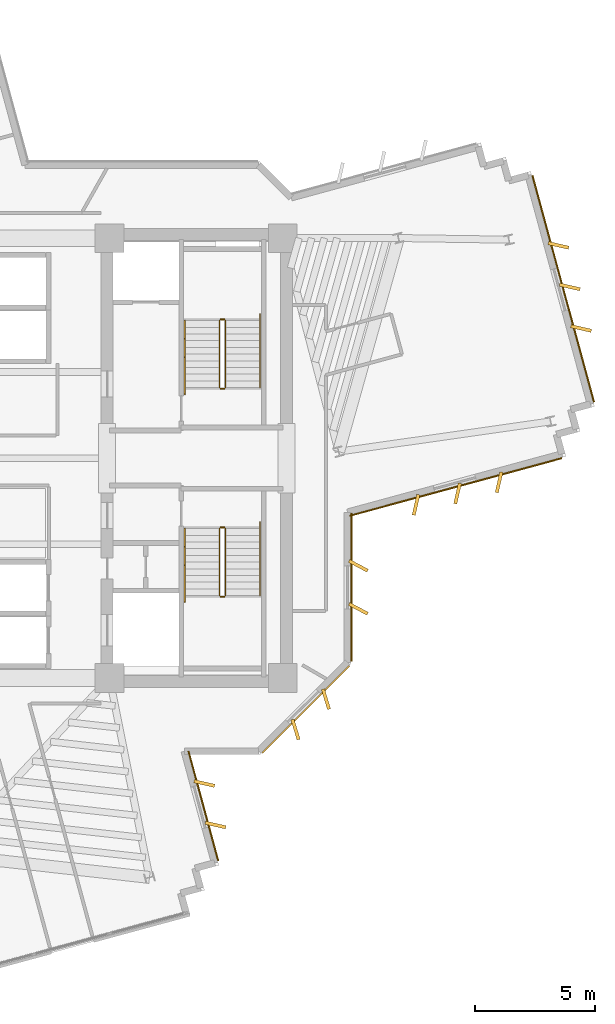
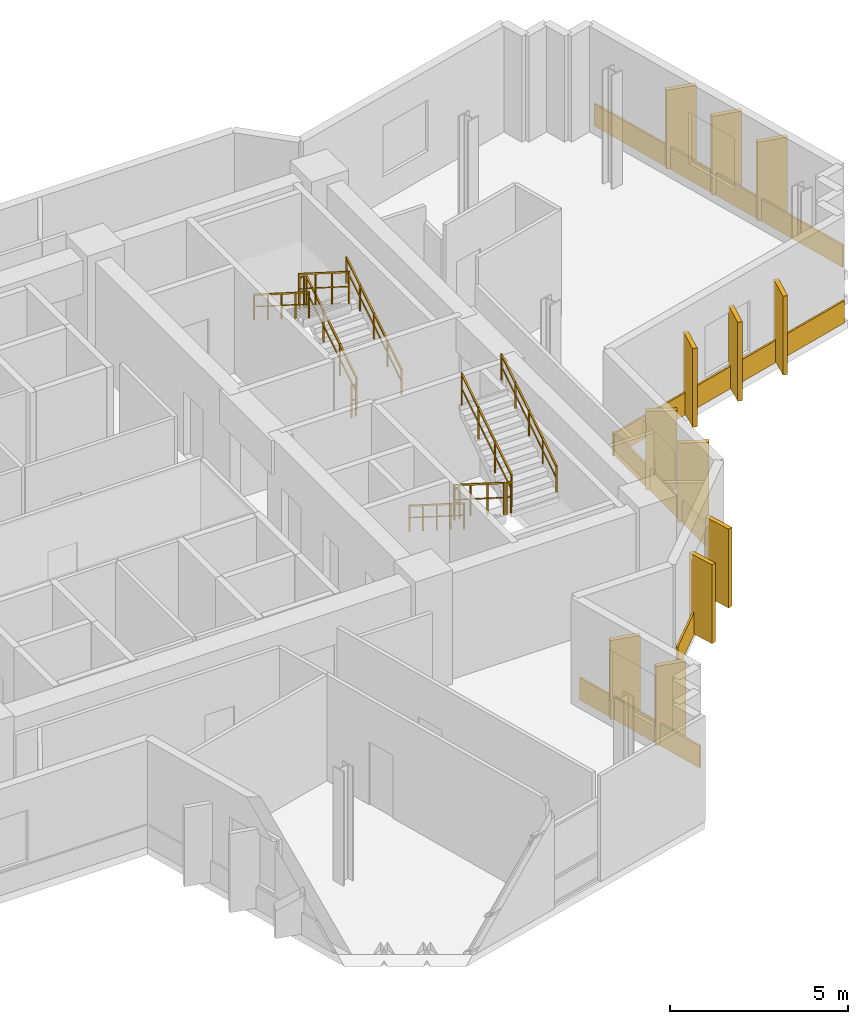
# One storey, part 14 of 15: 17 coverings, 12 railings.
"""IFC4 building model written with IfcOpenShell, lengths in metres."""

from ifc_helpers import new_model, si_unit, direction, frame, origin, origin_2d, place, context, subcontext, project, spatial, rectangle, extrude, source, transform, mapped, material, layer, layer_set, type_object, element, save


model = new_model("IFC4")

# Units and contexts
model_context = context("Model", 3, precision=1e-05, world=origin(), true_north=direction((0.0, 1.0)))
body_context = subcontext(model_context, "Body", "Model", "MODEL_VIEW")
ifc_project = project(units=[si_unit("LENGTHUNIT", "METRE"), si_unit("AREAUNIT", "SQUARE_METRE"), si_unit("VOLUMEUNIT", "CUBIC_METRE"), si_unit("PLANEANGLEUNIT", "RADIAN"), si_unit("MASSUNIT", "GRAM", prefix="KILO")], contexts=[model_context])

# Site, building, storey
site_placement = place(None, origin())
site = spatial("IfcSite", under=ifc_project, at=site_placement, CompositionType="ELEMENT")
building_placement = place(site_placement, origin())
building = spatial("IfcBuilding", under=site, at=building_placement, Name="Zahravan Cultural Tower", CompositionType="ELEMENT")
storey_placement = place(building_placement, frame((0.0, 0.0, 198.0)))
storey = spatial("IfcBuildingStorey", under=building, at=storey_placement, Name="L46", CompositionType="ELEMENT", Elevation=198.0)

# Railings
ifc_material_1 = material(Name="Steel ASTM A572 Grade 50", Category="steel")
railing_type_1 = type_object("IfcRailingType", Name="RL-STAIR-GRD1150", PredefinedType="BALUSTRADE", material=ifc_material_1)
railing_1_placement = place(storey_placement, frame((47.949951171875, 29.949951171875, 0.17724609375)))
element("IfcRailing", 1, at=railing_1_placement, inside=storey, type_object=railing_type_1, Name="L46 ST-E1 stair guard 1", PredefinedType="BALUSTRADE", context=body_context, shape_type="SweptSolid", body=[
    extrude(rectangle(XDim=0.05, YDim=0.05, at=origin_2d()), frame((0.0, 0.0, 1.0751953125), z_axis=(0.0, 0.844908973607, 0.534910110503), x_axis=(-1.0, 0.0, 0.0)), (0.0, 0.0, 1.0), 3.31396484375),
    extrude(rectangle(XDim=0.032, YDim=0.032, at=origin_2d()), frame((0.0, 0.0, 0.572021484375), z_axis=(0.0, 0.844908973607, 0.534910110503), x_axis=(-1.0, 0.0, 0.0)), (0.0, 0.0, 1.0), 3.31396484375),
    extrude(rectangle(XDim=0.04, YDim=0.04, at=origin_2d()), origin(), (0.0, 0.0, 1.0), 1.10009765625),
    extrude(rectangle(XDim=0.04, YDim=0.04, at=origin_2d()), frame((0.0, 0.933349609375, 0.5908203125)), (0.0, 0.0, 1.0), 1.10009765625),
    extrude(rectangle(XDim=0.04, YDim=0.04, at=origin_2d()), frame((0.0, 1.86669921875, 1.181884765625)), (0.0, 0.0, 1.0), 1.10009765625),
    extrude(rectangle(XDim=0.04, YDim=0.04, at=origin_2d()), frame((0.0, 2.800048828125, 1.772705078125)), (0.0, 0.0, 1.0), 1.10009765625),
])
railing_2_placement = place(storey_placement, frame((47.89990234375, 32.800048828125, 1.949951171875)))
element("IfcRailing", 2, at=railing_2_placement, inside=storey, type_object=railing_type_1, Name="L46 ST-E1 stair guard 2", PredefinedType="BALUSTRADE", context=body_context, shape_type="SweptSolid", body=[
    extrude(rectangle(XDim=0.05, YDim=0.05, at=origin_2d()), frame((0.0, 0.0, 1.0751953125), z_axis=(-1.0, 0.0, 0.0), x_axis=(0.0, -1.0, 0.0)), (0.0, 0.0, 1.0), 0.14990234375),
    extrude(rectangle(XDim=0.032, YDim=0.032, at=origin_2d()), frame((0.0, 0.0, 0.572021484375), z_axis=(-1.0, 0.0, 0.0), x_axis=(0.0, -1.0, 0.0)), (0.0, 0.0, 1.0), 0.14990234375),
    extrude(rectangle(XDim=0.04, YDim=0.04, at=origin_2d()), origin(), (0.0, 0.0, 1.0), 1.10009765625),
    extrude(rectangle(XDim=0.04, YDim=0.04, at=origin_2d()), frame((-0.14990234375, 0.0, 0.0)), (0.0, 0.0, 1.0), 1.10009765625),
])
railing_3_placement = place(storey_placement, frame((47.699951171875, 32.75, 2.127197265625)))
element("IfcRailing", 3, at=railing_3_placement, inside=storey, type_object=railing_type_1, Name="L46 ST-E1 stair guard 3", PredefinedType="BALUSTRADE", context=body_context, shape_type="SweptSolid", body=[
    extrude(rectangle(XDim=0.05, YDim=0.05, at=origin_2d()), frame((0.0, 0.0, 1.0751953125), z_axis=(0.0, -0.844908973607, 0.534910110503), x_axis=(1.0, 0.0, 0.0)), (0.0, 0.0, 1.0), 3.31396484375),
    extrude(rectangle(XDim=0.032, YDim=0.032, at=origin_2d()), frame((0.0, 0.0, 0.572021484375), z_axis=(0.0, -0.844908973607, 0.534910110503), x_axis=(1.0, 0.0, 0.0)), (0.0, 0.0, 1.0), 3.31396484375),
    extrude(rectangle(XDim=0.04, YDim=0.04, at=origin_2d()), origin(), (0.0, 0.0, 1.0), 1.10009765625),
    extrude(rectangle(XDim=0.04, YDim=0.04, at=origin_2d()), frame((0.0, -0.933349609375, 0.5908203125)), (0.0, 0.0, 1.0), 1.10009765625),
    extrude(rectangle(XDim=0.04, YDim=0.04, at=origin_2d()), frame((0.0, -1.86669921875, 1.181884765625)), (0.0, 0.0, 1.0), 1.10009765625),
    extrude(rectangle(XDim=0.04, YDim=0.04, at=origin_2d()), frame((0.0, -2.800048828125, 1.772705078125)), (0.0, 0.0, 1.0), 1.10009765625),
])
railing_4_placement = place(storey_placement, frame((47.89990234375, 29.89990234375, 0.0)))
element("IfcRailing", 4, at=railing_4_placement, inside=storey, type_object=railing_type_1, Name="L46 ST-E1 stair guard 4", PredefinedType="BALUSTRADE", context=body_context, shape_type="SweptSolid", body=[
    extrude(rectangle(XDim=0.05, YDim=0.05, at=origin_2d()), frame((0.0, 0.0, 1.0751953125), z_axis=(-1.0, 0.0, 0.0), x_axis=(0.0, -1.0, 0.0)), (0.0, 0.0, 1.0), 0.14990234375),
    extrude(rectangle(XDim=0.032, YDim=0.032, at=origin_2d()), frame((0.0, 0.0, 0.572021484375), z_axis=(-1.0, 0.0, 0.0), x_axis=(0.0, -1.0, 0.0)), (0.0, 0.0, 1.0), 0.14990234375),
    extrude(rectangle(XDim=0.04, YDim=0.04, at=origin_2d()), origin(), (0.0, 0.0, 1.0), 1.10009765625),
    extrude(rectangle(XDim=0.04, YDim=0.04, at=origin_2d()), frame((-0.14990234375, 0.0, 0.0)), (0.0, 0.0, 1.0), 1.10009765625),
])
railing_5_placement = place(storey_placement, frame((47.699951171875, 24.050048828125, 0.17724609375)))
element("IfcRailing", 5, at=railing_5_placement, inside=storey, type_object=railing_type_1, Name="L46 ST-E2 stair guard 1", PredefinedType="BALUSTRADE", context=body_context, shape_type="SweptSolid", body=[
    extrude(rectangle(XDim=0.05, YDim=0.05, at=origin_2d()), frame((0.0, 0.0, 1.0751953125), z_axis=(0.0, -0.844908973607, 0.534910110503), x_axis=(1.0, 0.0, 0.0)), (0.0, 0.0, 1.0), 3.31396484375),
    extrude(rectangle(XDim=0.032, YDim=0.032, at=origin_2d()), frame((0.0, 0.0, 0.572021484375), z_axis=(0.0, -0.844908973607, 0.534910110503), x_axis=(1.0, 0.0, 0.0)), (0.0, 0.0, 1.0), 3.31396484375),
    extrude(rectangle(XDim=0.04, YDim=0.04, at=origin_2d()), origin(), (0.0, 0.0, 1.0), 1.10009765625),
    extrude(rectangle(XDim=0.04, YDim=0.04, at=origin_2d()), frame((0.0, -0.933349609375, 0.5908203125)), (0.0, 0.0, 1.0), 1.10009765625),
    extrude(rectangle(XDim=0.04, YDim=0.04, at=origin_2d()), frame((0.0, -1.86669921875, 1.181884765625)), (0.0, 0.0, 1.0), 1.10009765625),
    extrude(rectangle(XDim=0.04, YDim=0.04, at=origin_2d()), frame((0.0, -2.800048828125, 1.772705078125)), (0.0, 0.0, 1.0), 1.10009765625),
])
railing_6_placement = place(storey_placement, frame((47.75, 21.199951171875, 1.949951171875)))
element("IfcRailing", 6, at=railing_6_placement, inside=storey, type_object=railing_type_1, Name="L46 ST-E2 stair guard 2", PredefinedType="BALUSTRADE", context=body_context, shape_type="SweptSolid", body=[
    extrude(rectangle(XDim=0.05, YDim=0.05, at=origin_2d()), frame((0.0, 0.0, 1.0751953125), z_axis=(1.0, 0.0, 0.0), x_axis=(0.0, 1.0, 0.0)), (0.0, 0.0, 1.0), 0.14990234375),
    extrude(rectangle(XDim=0.032, YDim=0.032, at=origin_2d()), frame((0.0, 0.0, 0.572021484375), z_axis=(1.0, 0.0, 0.0), x_axis=(0.0, 1.0, 0.0)), (0.0, 0.0, 1.0), 0.14990234375),
    extrude(rectangle(XDim=0.04, YDim=0.04, at=origin_2d()), origin(), (0.0, 0.0, 1.0), 1.10009765625),
    extrude(rectangle(XDim=0.04, YDim=0.04, at=origin_2d()), frame((0.14990234375, 0.0, 0.0)), (0.0, 0.0, 1.0), 1.10009765625),
])
railing_7_placement = place(storey_placement, frame((47.949951171875, 21.25, 2.127197265625)))
element("IfcRailing", 7, at=railing_7_placement, inside=storey, type_object=railing_type_1, Name="L46 ST-E2 stair guard 3", PredefinedType="BALUSTRADE", context=body_context, shape_type="SweptSolid", body=[
    extrude(rectangle(XDim=0.05, YDim=0.05, at=origin_2d()), frame((0.0, 0.0, 1.0751953125), z_axis=(0.0, 0.844908973607, 0.534910110503), x_axis=(-1.0, 0.0, 0.0)), (0.0, 0.0, 1.0), 3.31396484375),
    extrude(rectangle(XDim=0.032, YDim=0.032, at=origin_2d()), frame((0.0, 0.0, 0.572021484375), z_axis=(0.0, 0.844908973607, 0.534910110503), x_axis=(-1.0, 0.0, 0.0)), (0.0, 0.0, 1.0), 3.31396484375),
    extrude(rectangle(XDim=0.04, YDim=0.04, at=origin_2d()), origin(), (0.0, 0.0, 1.0), 1.10009765625),
    extrude(rectangle(XDim=0.04, YDim=0.04, at=origin_2d()), frame((0.0, 0.933349609375, 0.5908203125)), (0.0, 0.0, 1.0), 1.10009765625),
    extrude(rectangle(XDim=0.04, YDim=0.04, at=origin_2d()), frame((0.0, 1.86669921875, 1.181884765625)), (0.0, 0.0, 1.0), 1.10009765625),
    extrude(rectangle(XDim=0.04, YDim=0.04, at=origin_2d()), frame((0.0, 2.800048828125, 1.772705078125)), (0.0, 0.0, 1.0), 1.10009765625),
])
railing_8_placement = place(storey_placement, frame((47.75, 24.10009765625, 0.0)))
element("IfcRailing", 8, at=railing_8_placement, inside=storey, type_object=railing_type_1, Name="L46 ST-E2 stair guard 4", PredefinedType="BALUSTRADE", context=body_context, shape_type="SweptSolid", body=[
    extrude(rectangle(XDim=0.05, YDim=0.05, at=origin_2d()), frame((0.0, 0.0, 1.0751953125), z_axis=(1.0, 0.0, 0.0), x_axis=(0.0, 1.0, 0.0)), (0.0, 0.0, 1.0), 0.14990234375),
    extrude(rectangle(XDim=0.032, YDim=0.032, at=origin_2d()), frame((0.0, 0.0, 0.572021484375), z_axis=(1.0, 0.0, 0.0), x_axis=(0.0, 1.0, 0.0)), (0.0, 0.0, 1.0), 0.14990234375),
    extrude(rectangle(XDim=0.04, YDim=0.04, at=origin_2d()), origin(), (0.0, 0.0, 1.0), 1.10009765625),
    extrude(rectangle(XDim=0.04, YDim=0.04, at=origin_2d()), frame((0.14990234375, 0.0, 0.0)), (0.0, 0.0, 1.0), 1.10009765625),
])
railing_type_2 = type_object("IfcRailingType", Name="RL-STAIR-HR900", PredefinedType="HANDRAIL", material=ifc_material_1)
railing_9_placement = place(storey_placement, frame((49.39990234375, 29.949951171875, 0.17724609375)))
element("IfcRailing", 9, at=railing_9_placement, inside=storey, type_object=railing_type_2, Name="L46 ST-E1 stair handrail 1", PredefinedType="HANDRAIL", context=body_context, shape_type="SweptSolid", body=[
    extrude(rectangle(XDim=0.05, YDim=0.05, at=origin_2d()), frame((0.0, 0.0, 0.875), z_axis=(0.0, 0.844913916606, 0.534902302785), x_axis=(-1.0, 0.0, 0.0)), (0.0, 0.0, 1.0), 3.6455078125),
    extrude(rectangle(XDim=0.032, YDim=0.032, at=origin_2d()), frame((0.0, 0.0, 0.468017578125), z_axis=(0.0, 0.844913916606, 0.534902302785), x_axis=(-1.0, 0.0, 0.0)), (0.0, 0.0, 1.0), 3.6455078125),
    extrude(rectangle(XDim=0.04, YDim=0.04, at=origin_2d()), origin(), (0.0, 0.0, 1.0), 0.89990234375),
    extrude(rectangle(XDim=0.04, YDim=0.04, at=origin_2d()), frame((0.0, 0.77001953125, 0.487548828125)), (0.0, 0.0, 1.0), 0.89990234375),
    extrude(rectangle(XDim=0.04, YDim=0.04, at=origin_2d()), frame((0.0, 1.5400390625, 0.97509765625)), (0.0, 0.0, 1.0), 0.89990234375),
    extrude(rectangle(XDim=0.04, YDim=0.04, at=origin_2d()), frame((0.0, 2.31005859375, 1.46240234375)), (0.0, 0.0, 1.0), 0.89990234375),
    extrude(rectangle(XDim=0.04, YDim=0.04, at=origin_2d()), frame((0.0, 3.080078125, 1.949951171875)), (0.0, 0.0, 1.0), 0.89990234375),
])
railing_10_placement = place(storey_placement, frame((46.25, 32.75, 2.127197265625)))
element("IfcRailing", 10, at=railing_10_placement, inside=storey, type_object=railing_type_2, Name="L46 ST-E1 stair handrail 2", PredefinedType="HANDRAIL", context=body_context, shape_type="SweptSolid", body=[
    extrude(rectangle(XDim=0.05, YDim=0.05, at=origin_2d()), frame((0.0, 0.0, 0.875), z_axis=(0.0, -0.844883648757, 0.534950109882), x_axis=(1.0, 0.0, 0.0)), (0.0, 0.0, 1.0), 3.6455078125),
    extrude(rectangle(XDim=0.032, YDim=0.032, at=origin_2d()), frame((0.0, 0.0, 0.468017578125), z_axis=(0.0, -0.844883648757, 0.534950109882), x_axis=(1.0, 0.0, 0.0)), (0.0, 0.0, 1.0), 3.6455078125),
    extrude(rectangle(XDim=0.04, YDim=0.04, at=origin_2d()), origin(), (0.0, 0.0, 1.0), 0.89990234375),
    extrude(rectangle(XDim=0.04, YDim=0.04, at=origin_2d()), frame((0.0, -0.77001953125, 0.487548828125)), (0.0, 0.0, 1.0), 0.89990234375),
    extrude(rectangle(XDim=0.04, YDim=0.04, at=origin_2d()), frame((0.0, -1.5400390625, 0.97509765625)), (0.0, 0.0, 1.0), 0.89990234375),
    extrude(rectangle(XDim=0.04, YDim=0.04, at=origin_2d()), frame((0.0, -2.31005859375, 1.462646484375)), (0.0, 0.0, 1.0), 0.89990234375),
    extrude(rectangle(XDim=0.04, YDim=0.04, at=origin_2d()), frame((0.0, -3.080078125, 1.9501953125)), (0.0, 0.0, 1.0), 0.89990234375),
])
railing_11_placement = place(storey_placement, frame((46.25, 24.050048828125, 0.17724609375)))
element("IfcRailing", 11, at=railing_11_placement, inside=storey, type_object=railing_type_2, Name="L46 ST-E2 stair handrail 1", PredefinedType="HANDRAIL", context=body_context, shape_type="SweptSolid", body=[
    extrude(rectangle(XDim=0.05, YDim=0.05, at=origin_2d()), frame((0.0, 0.0, 0.875), z_axis=(0.0, -0.844913916606, 0.534902302785), x_axis=(1.0, 0.0, 0.0)), (0.0, 0.0, 1.0), 3.6455078125),
    extrude(rectangle(XDim=0.032, YDim=0.032, at=origin_2d()), frame((0.0, 0.0, 0.468017578125), z_axis=(0.0, -0.844913916606, 0.534902302785), x_axis=(1.0, 0.0, 0.0)), (0.0, 0.0, 1.0), 3.6455078125),
    extrude(rectangle(XDim=0.04, YDim=0.04, at=origin_2d()), origin(), (0.0, 0.0, 1.0), 0.89990234375),
    extrude(rectangle(XDim=0.04, YDim=0.04, at=origin_2d()), frame((0.0, -0.77001953125, 0.487548828125)), (0.0, 0.0, 1.0), 0.89990234375),
    extrude(rectangle(XDim=0.04, YDim=0.04, at=origin_2d()), frame((0.0, -1.5400390625, 0.97509765625)), (0.0, 0.0, 1.0), 0.89990234375),
    extrude(rectangle(XDim=0.04, YDim=0.04, at=origin_2d()), frame((0.0, -2.31005859375, 1.46240234375)), (0.0, 0.0, 1.0), 0.89990234375),
    extrude(rectangle(XDim=0.04, YDim=0.04, at=origin_2d()), frame((0.0, -3.080078125, 1.949951171875)), (0.0, 0.0, 1.0), 0.89990234375),
])
railing_12_placement = place(storey_placement, frame((49.39990234375, 21.25, 2.127197265625)))
element("IfcRailing", 12, at=railing_12_placement, inside=storey, type_object=railing_type_2, Name="L46 ST-E2 stair handrail 2", PredefinedType="HANDRAIL", context=body_context, shape_type="SweptSolid", body=[
    extrude(rectangle(XDim=0.05, YDim=0.05, at=origin_2d()), frame((0.0, 0.0, 0.875), z_axis=(0.0, 0.844883648757, 0.534950109882), x_axis=(-1.0, 0.0, 0.0)), (0.0, 0.0, 1.0), 3.6455078125),
    extrude(rectangle(XDim=0.032, YDim=0.032, at=origin_2d()), frame((0.0, 0.0, 0.468017578125), z_axis=(0.0, 0.844883648757, 0.534950109882), x_axis=(-1.0, 0.0, 0.0)), (0.0, 0.0, 1.0), 3.6455078125),
    extrude(rectangle(XDim=0.04, YDim=0.04, at=origin_2d()), origin(), (0.0, 0.0, 1.0), 0.89990234375),
    extrude(rectangle(XDim=0.04, YDim=0.04, at=origin_2d()), frame((0.0, 0.77001953125, 0.487548828125)), (0.0, 0.0, 1.0), 0.89990234375),
    extrude(rectangle(XDim=0.04, YDim=0.04, at=origin_2d()), frame((0.0, 1.5400390625, 0.97509765625)), (0.0, 0.0, 1.0), 0.89990234375),
    extrude(rectangle(XDim=0.04, YDim=0.04, at=origin_2d()), frame((0.0, 2.31005859375, 1.462646484375)), (0.0, 0.0, 1.0), 0.89990234375),
    extrude(rectangle(XDim=0.04, YDim=0.04, at=origin_2d()), frame((0.0, 3.080078125, 1.9501953125)), (0.0, 0.0, 1.0), 0.89990234375),
])

# Coverings
ifc_material_2 = material(Name="Terracotta ceramic cladding", Category="masonry")
ifc_layer = layer(ifc_material_2, 0.06005859375)
ifc_layer_set = layer_set([ifc_layer], Name="Terracotta ceramic cladding")
covering_type = type_object("IfcCoveringType", Name="COV-CLAD-TC60", PredefinedType="CLADDING", material=ifc_layer_set)
shared_shape_1 = source(origin(), body_context, "Body", "SweptSolid", [
    extrude(rectangle(XDim=9.820068359375, YDim=0.06005859375, at=origin_2d()), origin(), (0.0, 0.0, 1.0), 0.760009765625),
])
covering_1_placement = place(storey_placement, frame((62.07958984375, 34.085693359375, 0.02001953125), z_axis=(0.0, 0.0, 1.0), x_axis=(0.262189178641, -0.965016494472, 0.0)))
element("IfcCovering", 13, at=covering_1_placement, inside=storey, type_object=covering_type, Name="L46 Terracotta Spandrel Cladding 06", PredefinedType="CLADDING", context=body_context, shape_type="MappedRepresentation", body=[
    mapped(shared_shape_1, transform((0.0, 0.0, 0.0), x_axis=(1.0, 0.0, 0.0), y_axis=(0.0, 1.0, 0.0), z_axis=(0.0, 0.0, 1.0), scale=1.0)),
])
shared_shape_2 = source(origin(), body_context, "Body", "SweptSolid", [
    extrude(rectangle(XDim=5.157958984375, YDim=0.06005859375, at=origin_2d()), origin(), (0.0, 0.0, 1.0), 0.760009765625),
])
covering_2_placement = place(storey_placement, frame((51.317626953125, 16.482421875, 0.02001953125), z_axis=(0.0, 0.0, 1.0), x_axis=(-0.707106781187, -0.707106781187, 0.0)))
element("IfcCovering", 14, at=covering_2_placement, inside=storey, type_object=covering_type, Name="L46 Terracotta Spandrel Cladding 13", PredefinedType="CLADDING", context=body_context, shape_type="MappedRepresentation", body=[
    mapped(shared_shape_2, transform((0.0, 0.0, 0.0), x_axis=(1.0, 0.0, 0.0), y_axis=(0.0, 1.0, 0.0), z_axis=(0.0, 0.0, 1.0), scale=1.0)),
])
shared_shape_3 = source(origin(), body_context, "Body", "SweptSolid", [
    extrude(rectangle(XDim=0.8798828125, YDim=0.139892578125, at=origin_2d()), origin(), (0.0, 0.0, 1.0), 2.699951171875),
])
for number, where, z_axis, x_axis, name in (
    (15, (61.8828125, 35.8974609375, 0.0498046875), (0.0, 0.0, 1.0), (0.975149354306, -0.221548497619, 0.0), "L46 Herringbone Terracotta Fin 04"),
    (16, (62.3544921875, 34.160400390625, 0.0498046875), (0.0, 0.0, 1.0), (0.975149354306, -0.221548497619, 0.0), "L46 Herringbone Terracotta Fin 05"),
    (17, (62.826416015625, 32.42333984375, 0.0498046875), (0.0, 0.0, 1.0), (0.975149354306, -0.221548497619, 0.0), "L46 Herringbone Terracotta Fin 06"),
    (18, (59.39794921875, 25.989501953125, 0.0498046875), (0.0, 0.0, 1.0), (-0.221548497619, -0.975149354306, 0.0), "L46 Herringbone Terracotta Fin 07"),
    (19, (57.660888671875, 25.517333984375, 0.0498046875), (0.0, 0.0, 1.0), (-0.221548497619, -0.975149354306, 0.0), "L46 Herringbone Terracotta Fin 08"),
    (20, (55.924072265625, 25.04541015625, 0.0498046875), (0.0, 0.0, 1.0), (-0.221548497619, -0.975149354306, 0.0), "L46 Herringbone Terracotta Fin 09"),
    (21, (53.510009765625, 22.495849609375, 0.0498046875), (0.0, 0.0, 1.0), (0.882947592859, -0.469471562786, 0.0), "L46 Herringbone Terracotta Fin 10"),
    (22, (53.510009765625, 20.69580078125, 0.0498046875), (0.0, 0.0, 1.0), (0.882947592859, -0.469471562786, 0.0), "L46 Herringbone Terracotta Fin 11"),
    (23, (52.155517578125, 16.917236328125, 0.0498046875), (0.0, 0.0, 1.0), (0.292371704723, -0.956304755963, 0.0), "L46 Herringbone Terracotta Fin 12"),
    (24, (50.8828125, 15.644287109375, 0.0498046875), (0.0, 0.0, 1.0), (0.292371704723, -0.956304755963, 0.0), "L46 Herringbone Terracotta Fin 13"),
    (25, (47.06591796875, 13.38818359375, 0.0498046875), (0.0, 0.0, 1.0), (0.975149354306, -0.221548497619, 0.0), "L46 Herringbone Terracotta Fin 14"),
    (26, (47.537841796875, 11.651123046875, 0.0498046875), (0.0, 0.0, 1.0), (0.975149354306, -0.221548497619, 0.0), "L46 Herringbone Terracotta Fin 15"),
):
    element("IfcCovering", number, at=place(storey_placement, frame(where, z_axis=z_axis, x_axis=x_axis)), inside=storey, type_object=covering_type, Name=name, PredefinedType="CLADDING", context=body_context, shape_type="MappedRepresentation", body=[
        mapped(shared_shape_3, transform((0.0, 0.0, 0.0), x_axis=(1.0, 0.0, 0.0), y_axis=(0.0, 1.0, 0.0), z_axis=(0.0, 0.0, 1.0), scale=1.0)),
    ])
shared_shape_4 = source(origin(), body_context, "Body", "SweptSolid", [
    extrude(rectangle(XDim=9.19091796875, YDim=0.06005859375, at=origin_2d()), origin(), (0.0, 0.0, 1.0), 0.760009765625),
])
covering_3_placement = place(storey_placement, frame((57.586181640625, 25.79248046875, 0.02001953125), z_axis=(0.0, 0.0, 1.0), x_axis=(-0.965016494472, -0.262189178641, 0.0)))
element("IfcCovering", 27, at=covering_3_placement, inside=storey, type_object=covering_type, Name="L46 Terracotta Spandrel Cladding 11", PredefinedType="CLADDING", context=body_context, shape_type="MappedRepresentation", body=[
    mapped(shared_shape_4, transform((0.0, 0.0, 0.0), x_axis=(1.0, 0.0, 0.0), y_axis=(0.0, 1.0, 0.0), z_axis=(0.0, 0.0, 1.0), scale=1.0)),
])
shared_shape_5 = source(origin(), body_context, "Body", "SweptSolid", [
    extrude(rectangle(XDim=6.17578125, YDim=0.06005859375, at=origin_2d()), origin(), (0.0, 0.0, 1.0), 0.760009765625),
])
covering_4_placement = place(storey_placement, frame((53.22509765625, 21.595703125, 0.02001953125), z_axis=(0.0, 0.0, 1.0), x_axis=(0.0, -1.0, 0.0)))
element("IfcCovering", 28, at=covering_4_placement, inside=storey, type_object=covering_type, Name="L46 Terracotta Spandrel Cladding 12", PredefinedType="CLADDING", context=body_context, shape_type="MappedRepresentation", body=[
    mapped(shared_shape_5, transform((0.0, 0.0, 0.0), x_axis=(1.0, 0.0, 0.0), y_axis=(0.0, 1.0, 0.0), z_axis=(0.0, 0.0, 1.0), scale=1.0)),
])
shared_shape_6 = source(origin(), body_context, "Body", "SweptSolid", [
    extrude(rectangle(XDim=4.74609375, YDim=0.06005859375, at=origin_2d()), origin(), (0.0, 0.0, 1.0), 0.760009765625),
])
covering_5_placement = place(storey_placement, frame((47.02685546875, 12.445068359375, 0.02001953125), z_axis=(0.0, 0.0, 1.0), x_axis=(0.262189178641, -0.965016494472, 0.0)))
element("IfcCovering", 29, at=covering_5_placement, inside=storey, type_object=covering_type, Name="L46 Terracotta Spandrel Cladding 15", PredefinedType="CLADDING", context=body_context, shape_type="MappedRepresentation", body=[
    mapped(shared_shape_6, transform((0.0, 0.0, 0.0), x_axis=(1.0, 0.0, 0.0), y_axis=(0.0, 1.0, 0.0), z_axis=(0.0, 0.0, 1.0), scale=1.0)),
])

save(model, "model.ifc")
